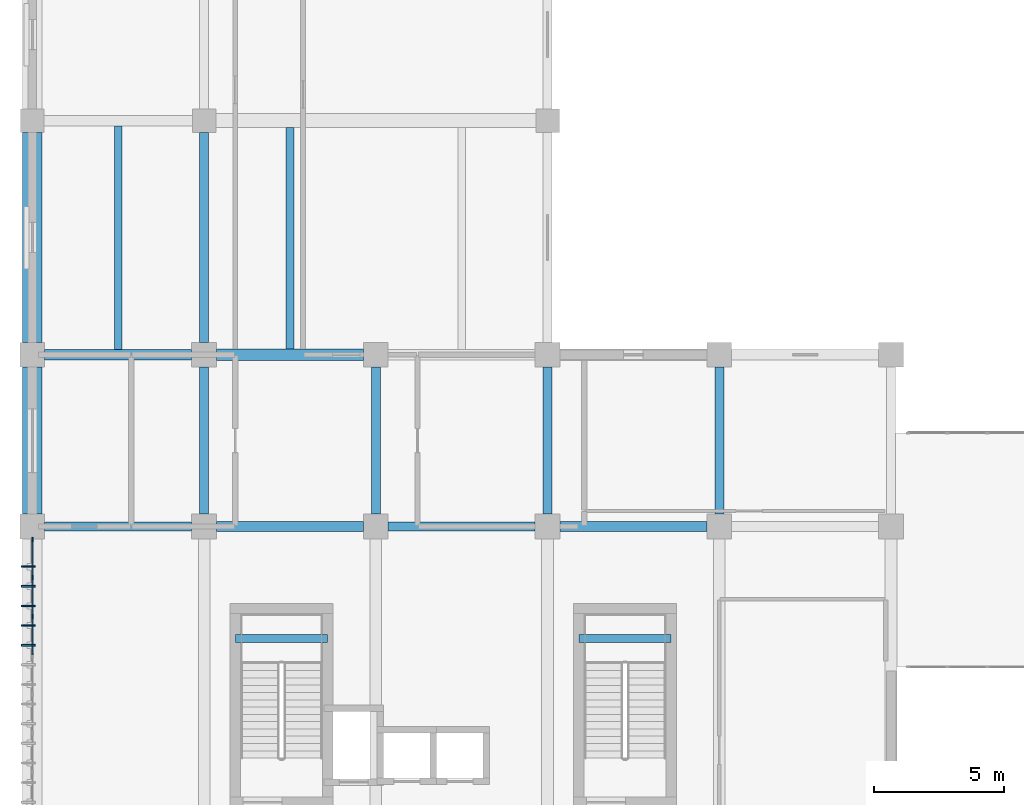
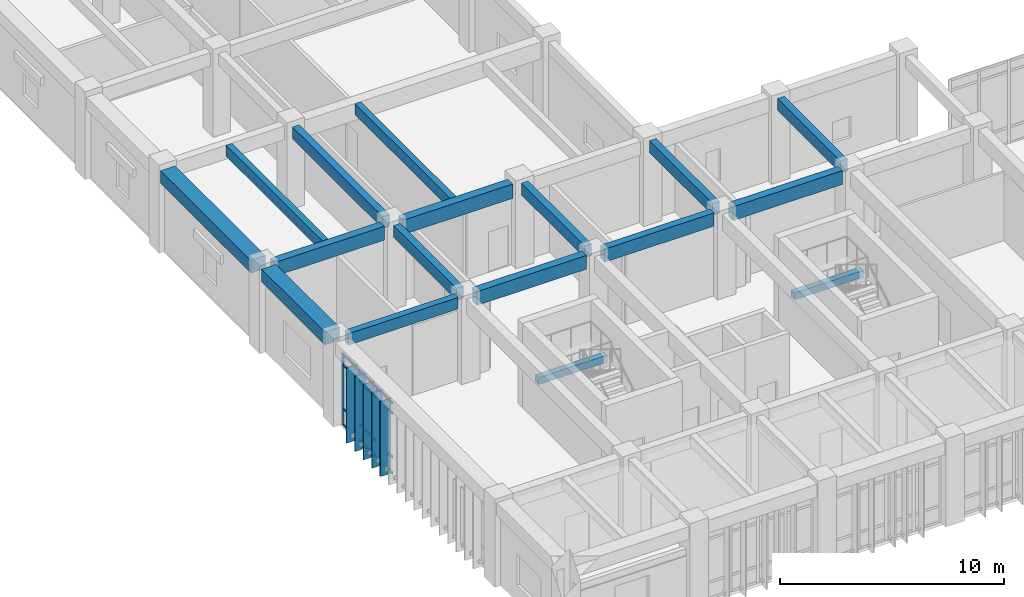
# One storey, part 5 of 68: 20 members, 17 beams, 1 element without a shape of its own.
"""IFC4 building model written with IfcOpenShell, lengths in metres."""

import ifcopenshell
import ifcopenshell.guid

model = None  # the IFC model being written
_history = None  # IfcOwnerHistory: only IFC2X3 demands one
_inside = {}  # id of a spatial element -> (the spatial element, [elements in it])
_under = {}  # id of a project, library or spatial element -> (it, [spatial elements below it])
_declared = {}  # id of a project -> (the project, [libraries it declares])
_typed = {}  # id of a type object -> (the type object, [elements of that type])
_made_of = {}  # id of a material, layer set ... -> (it, [elements and type objects made of it])


def new_model(schema):
    """Start an empty IFC model of exactly this schema.

    Asked for "IFC4X3", IfcOpenShell would pick the latest addendum, in which some entities
    have other attributes; the version numbers below select the first issue.
    IFC2X3 requires an IfcOwnerHistory on every rooted entity: one is made here for all.
    """
    global model, _history
    if schema == "IFC4X3":
        model = ifcopenshell.file(schema_version=(4, 3, 0, 0))
    else:
        model = ifcopenshell.file(schema=schema)
    _inside.clear()
    _under.clear()
    _declared.clear()
    _typed.clear()
    _made_of.clear()
    _history = None
    if model.schema == "IFC2X3":
        org = make("IfcOrganization", Name="unknown")
        user = make(
            "IfcPersonAndOrganization",
            ThePerson=make("IfcPerson", FamilyName="unknown"),
            TheOrganization=org,
        )
        app = make(
            "IfcApplication",
            ApplicationDeveloper=org,
            Version="unknown",
            ApplicationFullName="unknown",
            ApplicationIdentifier="unknown",
        )
        _history = make(
            "IfcOwnerHistory",
            OwningUser=user,
            OwningApplication=app,
            ChangeAction="ADDED",
            CreationDate=0,
        )
    return model


def make(cls, **values):
    """One entity of the class cls with the attributes given. An attribute that is None is left unset."""
    return model.create_entity(
        cls, **{name: value for name, value in values.items() if value is not None}
    )


def rooted(cls, **values):
    """An entity with a GlobalId (a new one), such as an element, a storey or a relation."""
    return make(cls, GlobalId=ifcopenshell.guid.new(), OwnerHistory=_history, **values)


def si_unit(unit_type, name, prefix=None):
    """IfcSIUnit, for example si_unit("LENGTHUNIT", "METRE", prefix="MILLI")."""
    return make("IfcSIUnit", UnitType=unit_type, Prefix=prefix, Name=name)


def assignment(units):
    """IfcUnitAssignment: the units of a project."""
    return None if units is None else make("IfcUnitAssignment", Units=units)


def point(xyz):
    """IfcCartesianPoint."""
    return None if xyz is None else make("IfcCartesianPoint", Coordinates=xyz)


def direction(xyz):
    """IfcDirection."""
    return None if xyz is None else make("IfcDirection", DirectionRatios=xyz)


def frame(location, z_axis=None, x_axis=None):
    """IfcAxis2Placement3D, a coordinate frame: its origin and axes. An axis left out is left unset."""
    return make(
        "IfcAxis2Placement3D",
        Location=point(location),
        Axis=direction(z_axis),
        RefDirection=direction(x_axis),
    )


def frame_2d(location, x_axis=None):
    """IfcAxis2Placement2D, a coordinate frame in the plane: its origin and x axis."""
    return make(
        "IfcAxis2Placement2D", Location=point(location), RefDirection=direction(x_axis)
    )


def origin():
    """The frame at (0, 0, 0) with its axes left unset."""
    return frame((0.0, 0.0, 0.0))


def origin_2d():
    """The frame at (0, 0) in the plane with its x axis left unset."""
    return frame_2d((0.0, 0.0))


def place(relative_to, where):
    """IfcLocalPlacement: puts the frame where relative to a parent placement (None: the world)."""
    return make(
        "IfcLocalPlacement", PlacementRelTo=relative_to, RelativePlacement=where
    )


def context(
    kind, dimensions, precision=None, world=None, true_north=None, identifier=None
):
    """IfcGeometricRepresentationContext, for example the 3D "Model" context."""
    return make(
        "IfcGeometricRepresentationContext",
        ContextIdentifier=identifier,
        ContextType=kind,
        CoordinateSpaceDimension=dimensions,
        Precision=precision,
        WorldCoordinateSystem=world,
        TrueNorth=true_north,
    )


def subcontext(parent, identifier, kind, view, scale=None):
    """IfcGeometricRepresentationSubContext, for example "Body" below "Model"."""
    return make(
        "IfcGeometricRepresentationSubContext",
        ContextIdentifier=identifier,
        ContextType=kind,
        ParentContext=parent,
        TargetScale=scale,
        TargetView=view,
    )


def project(units=None, contexts=None):
    """IfcProject with its units and contexts."""
    return rooted(
        "IfcProject",
        Name="project",
        RepresentationContexts=contexts,
        UnitsInContext=assignment(units),
    )


def spatial(cls, under=None, at=None, **own):
    """A site, building, storey or space (cls), placed at a placement, below another one or the project."""
    s = rooted(cls, ObjectPlacement=at, **own)
    if under is not None:
        _under.setdefault(under.id(), (under, []))[1].append(s)
    return s


def profile(cls, at=None, kind="AREA", **sizes):
    """A parametric profile (cls). Its sizes go by their IFC names, for example OverallWidth=200.0."""
    return make(cls, ProfileType=kind, Position=at, **sizes)


def rectangle(**sizes):
    """IfcRectangleProfileDef."""
    return profile("IfcRectangleProfileDef", **sizes)


def extrude(swept, where, along, depth):
    """IfcExtrudedAreaSolid: the profile swept, set in the frame where, extruded along a direction by depth."""
    return make(
        "IfcExtrudedAreaSolid",
        SweptArea=swept,
        Position=where,
        ExtrudedDirection=direction(along),
        Depth=depth,
    )


def shape(context_of_items, identifier, shape_type, items):
    """IfcShapeRepresentation: the items that make up one representation, for example the "Body"."""
    return make(
        "IfcShapeRepresentation",
        ContextOfItems=context_of_items,
        RepresentationIdentifier=identifier,
        RepresentationType=shape_type,
        Items=items,
    )


def material(Name=None, Category=None):
    """IfcMaterial."""
    return make("IfcMaterial", Name=Name, Category=Category)


def layer(
    of_material, thickness, ventilated=None, Name=None, Category=None, Priority=None
):
    """IfcMaterialLayer: one layer of a wall or slab, of a material (None: an air gap)."""
    return make(
        "IfcMaterialLayer",
        Material=of_material,
        LayerThickness=thickness,
        IsVentilated=ventilated,
        Name=Name,
        Category=Category,
        Priority=Priority,
    )


def layer_set(layers, Name=None):
    """IfcMaterialLayerSet."""
    return make("IfcMaterialLayerSet", MaterialLayers=layers, LayerSetName=Name)


def material_profile(
    of_material, cross_section, Name=None, Category=None, Priority=None
):
    """IfcMaterialProfile: a cross section and its material."""
    return make(
        "IfcMaterialProfile",
        Name=Name,
        Material=of_material,
        Profile=cross_section,
        Priority=Priority,
        Category=Category,
    )


def profile_set(profiles, Name=None, composite=None):
    """IfcMaterialProfileSet."""
    return make(
        "IfcMaterialProfileSet",
        Name=Name,
        MaterialProfiles=profiles,
        CompositeProfile=composite,
    )


def made_of(thing, what):
    """Note that an element or type object is made of a material, layer set ...; save() writes the relation."""
    if what is not None:
        _made_of.setdefault(what.id(), (what, []))[1].append(thing)
    return thing


def type_object(cls, material=None, **own):
    """A type object (cls), such as IfcWallType, which elements share."""
    return made_of(rooted(cls, **own), material)


def element(
    cls,
    number,
    at=None,
    inside=None,
    cuts=None,
    type_object=None,
    material=None,
    context=None,
    identifier="Body",
    shape_type=None,
    held_by="IfcProductDefinitionShape",
    body=None,
    shapes=None,
    **own,
):
    """One element of the class cls, such as IfcWall. Its Tag is "e" and its number.

    at: its placement. inside: the storey or other place that contains it. cuts: it is an
    opening in that element (IfcRelVoidsElement). A single representation is given by context,
    identifier, shape_type and body (its items); several are given by shapes. held_by: the class
    of the entity that holds the representations. save() writes the other relations.
    """
    e = rooted(cls, Tag="e%d" % number, ObjectPlacement=at, **own)
    if body is not None:
        shapes = [shape(context, identifier, shape_type, body)]
    if shapes is not None:
        e.Representation = make(held_by, Representations=shapes)
    if inside is not None:
        _inside.setdefault(inside.id(), (inside, []))[1].append(e)
    if cuts is not None:
        rooted(
            "IfcRelVoidsElement", RelatingBuildingElement=cuts, RelatedOpeningElement=e
        )
    if type_object is not None:
        _typed.setdefault(type_object.id(), (type_object, []))[1].append(e)
    return made_of(e, material)


def aggregate(whole, parts):
    """IfcRelAggregates: a whole, such as a stair, and the parts it consists of."""
    return rooted("IfcRelAggregates", RelatingObject=whole, RelatedObjects=parts)


def save(model, path):
    """Write the relations noted so far, then the file.

    IfcRelAggregates (storeys below a building ...), IfcRelContainedInSpatialStructure (elements
    in a storey), IfcRelDefinesByType, IfcRelAssociatesMaterial and IfcRelDeclares: one each for
    every whole, place, type object, material and project.
    """
    for whole, parts in _under.values():
        aggregate(whole, parts)
    for where, things in _inside.values():
        rooted(
            "IfcRelContainedInSpatialStructure",
            RelatedElements=things,
            RelatingStructure=where,
        )
    for kind, things in _typed.values():
        rooted("IfcRelDefinesByType", RelatedObjects=things, RelatingType=kind)
    for what, things in _made_of.values():
        rooted("IfcRelAssociatesMaterial", RelatedObjects=things, RelatingMaterial=what)
    for by, libraries in _declared.values():
        rooted("IfcRelDeclares", RelatingContext=by, RelatedDefinitions=libraries)
    model.write(path)


model = new_model("IFC4")

# Units and contexts
model_context = context("Model", 3, precision=1e-05, world=origin(), true_north=direction((0.0, 1.0)))
body_context = subcontext(model_context, "Body", "Model", "MODEL_VIEW")
ifc_project = project(units=[si_unit("LENGTHUNIT", "METRE"), si_unit("AREAUNIT", "SQUARE_METRE"), si_unit("VOLUMEUNIT", "CUBIC_METRE"), si_unit("PLANEANGLEUNIT", "RADIAN"), si_unit("MASSUNIT", "GRAM", prefix="KILO")], contexts=[model_context])

# Site, building, storey
site_placement = place(None, origin())
site = spatial("IfcSite", under=ifc_project, at=site_placement, CompositionType="ELEMENT")
building_placement = place(site_placement, origin())
building = spatial("IfcBuilding", under=site, at=building_placement, Name="Miralva Faculty of Natural Sciences", CompositionType="ELEMENT")
storey_placement = place(building_placement, frame((0.0, 0.0, 5.39990234375)))
storey = spatial("IfcBuildingStorey", under=building, at=storey_placement, Name="L01", CompositionType="ELEMENT", Elevation=5.39990234375)

# Beams
ifc_material_1 = material(Name="Concrete C40/50", Category="concrete")
ifc_material_profile_1 = material_profile(ifc_material_1, rectangle(XDim=0.39990234375, YDim=0.75, at=origin_2d()), Name="RC 400x750")
ifc_profile_set_1 = profile_set([ifc_material_profile_1], Name="Concrete C40/50")
beam_type_1 = type_object("IfcBeamType", Name="BM-B03", PredefinedType="BEAM", material=ifc_profile_set_1)
for number, where, z_axis, x_axis, name in (
    (1, (10.074951171875, 23.39990234375, 4.205078125), (1.0, 0.0, 0.0), (0.0, 1.0, 0.0), "Girder EW L01-24"),
    (2, (23.27490234375, 23.39990234375, 4.205078125), (1.0, 0.0, 0.0), (0.0, 1.0, 0.0), "Girder EW L01-26"),
):
    element("IfcBeam", number, at=place(storey_placement, frame(where, z_axis=z_axis, x_axis=x_axis)), inside=storey, type_object=beam_type_1, Name=name, PredefinedType="BEAM", context=body_context, shape_type="SweptSolid", body=[
        extrude(rectangle(XDim=0.39990234375, YDim=0.75, at=origin_2d()), origin(), (0.0, 0.0, 1.0), 5.650146484375),
    ])
beam_1_placement = place(storey_placement, frame((3.47509765625, 30.0, 4.10498046875), z_axis=(1.0, 0.0, 0.0), x_axis=(0.0, 1.0, 0.0)))
element("IfcBeam", 3, at=beam_1_placement, inside=storey, type_object=beam_type_1, Name="Girder EW L01-32", PredefinedType="BEAM", context=body_context, shape_type="SweptSolid", body=[
    extrude(rectangle(XDim=0.39990234375, YDim=0.75, at=origin_2d()), origin(), (0.0, 0.0, 1.0), 5.64990234375),
])
ifc_material_profile_2 = material_profile(ifc_material_1, rectangle(XDim=0.35009765625, YDim=0.64990234375, at=origin_2d()), Name="RC 350x650")
ifc_profile_set_2 = profile_set([ifc_material_profile_2], Name="Concrete C40/50")
beam_type_2 = type_object("IfcBeamType", Name="BM-B05", PredefinedType="BEAM", material=ifc_profile_set_2)
beam_2_placement = place(storey_placement, frame((9.60009765625, 23.875, 4.255126953125), z_axis=(0.0, 1.0, 0.0), x_axis=(-1.0, 0.0, 0.0)))
element("IfcBeam", 4, at=beam_2_placement, inside=storey, type_object=beam_type_2, Name="Girder NS L01-111", PredefinedType="BEAM", context=body_context, shape_type="SweptSolid", body=[
    extrude(rectangle(XDim=0.35009765625, YDim=0.64990234375, at=origin_2d()), origin(), (0.0, 0.0, 1.0), 5.64990234375),
])
beam_3_placement = place(storey_placement, frame((9.60009765625, 30.47509765625, 4.155029296875), z_axis=(0.0, 1.0, 0.0), x_axis=(-1.0, 0.0, 0.0)))
element("IfcBeam", 5, at=beam_3_placement, inside=storey, type_object=beam_type_2, Name="Girder NS L01-112", PredefinedType="BEAM", context=body_context, shape_type="SweptSolid", body=[
    extrude(rectangle(XDim=0.35009765625, YDim=0.64990234375, at=origin_2d()), origin(), (0.0, 0.0, 1.0), 8.074951171875),
])
for number, where, z_axis, x_axis, name in (
    (6, (16.199951171875, 23.875, 4.255126953125), (0.0, 1.0, 0.0), (-1.0, 0.0, 0.0), "Girder NS L01-124"),
    (7, (22.800048828125, 23.875, 4.255126953125), (0.0, 1.0, 0.0), (-1.0, 0.0, 0.0), "Girder NS L01-127"),
    (8, (29.39990234375, 23.875, 4.255126953125), (0.0, 1.0, 0.0), (-1.0, 0.0, 0.0), "Girder NS L01-140"),
):
    element("IfcBeam", number, at=place(storey_placement, frame(where, z_axis=z_axis, x_axis=x_axis)), inside=storey, type_object=beam_type_2, Name=name, PredefinedType="BEAM", context=body_context, shape_type="SweptSolid", body=[
        extrude(rectangle(XDim=0.35009765625, YDim=0.64990234375, at=origin_2d()), origin(), (0.0, 0.0, 1.0), 5.64990234375),
    ])
ifc_material_profile_3 = material_profile(ifc_material_1, rectangle(XDim=0.340087890625, YDim=0.6201171875, at=origin_2d()), Name="RC 340x620")
ifc_profile_set_3 = profile_set([ifc_material_profile_3], Name="Concrete C40/50")
beam_type_3 = type_object("IfcBeamType", Name="BM-BG03", PredefinedType="BEAM", material=ifc_profile_set_3)
beam_4_placement = place(storey_placement, frame((3.47509765625, 23.39990234375, 4.27001953125), z_axis=(1.0, 0.0, 0.0), x_axis=(0.0, 1.0, 0.0)))
element("IfcBeam", 9, at=beam_4_placement, inside=storey, type_object=beam_type_3, Name="Girder EW L01-23", PredefinedType="BEAM", context=body_context, shape_type="SweptSolid", body=[
    extrude(rectangle(XDim=0.340087890625, YDim=0.6201171875, at=origin_2d()), origin(), (0.0, 0.0, 1.0), 5.64990234375),
])
ifc_material_profile_4 = material_profile(ifc_material_1, rectangle(XDim=0.360107421875, YDim=0.719970703125, at=origin_2d()), Name="RC 360x720")
ifc_profile_set_4 = profile_set([ifc_material_profile_4], Name="Concrete C40/50")
beam_type_4 = type_object("IfcBeamType", Name="BM-BG05", PredefinedType="BEAM", material=ifc_profile_set_4)
beam_5_placement = place(storey_placement, frame((16.675048828125, 23.39990234375, 4.22021484375), z_axis=(1.0, 0.0, 0.0), x_axis=(0.0, 1.0, 0.0)))
element("IfcBeam", 10, at=beam_5_placement, inside=storey, type_object=beam_type_4, Name="Girder EW L01-25", PredefinedType="BEAM", context=body_context, shape_type="SweptSolid", body=[
    extrude(rectangle(XDim=0.360107421875, YDim=0.719970703125, at=origin_2d()), origin(), (0.0, 0.0, 1.0), 5.64990234375),
])
ifc_material_profile_5 = material_profile(ifc_material_1, rectangle(XDim=0.43994140625, YDim=0.780029296875, at=origin_2d()), Name="RC 440x780")
ifc_profile_set_5 = profile_set([ifc_material_profile_5], Name="Concrete C40/50")
beam_type_5 = type_object("IfcBeamType", Name="BM-BG13", PredefinedType="BEAM", material=ifc_profile_set_5)
beam_6_placement = place(storey_placement, frame((10.074951171875, 30.0, 4.090087890625), z_axis=(1.0, 0.0, 0.0), x_axis=(0.0, 1.0, 0.0)))
element("IfcBeam", 11, at=beam_6_placement, inside=storey, type_object=beam_type_5, Name="Girder EW L01-33", PredefinedType="BEAM", context=body_context, shape_type="SweptSolid", body=[
    extrude(rectangle(XDim=0.43994140625, YDim=0.780029296875, at=origin_2d()), origin(), (0.0, 0.0, 1.0), 5.650146484375),
])
ifc_material_profile_6 = material_profile(ifc_material_1, rectangle(XDim=0.300048828125, YDim=0.60009765625, at=origin_2d()), Name="RC 300x600")
ifc_profile_set_6 = profile_set([ifc_material_profile_6], Name="Concrete C40/50")
beam_type_6 = type_object("IfcBeamType", Name="BM-J01", PredefinedType="JOIST", material=ifc_profile_set_6)
beam_7_placement = place(storey_placement, frame((6.300048828125, 30.199951171875, 4.18017578125), z_axis=(0.0, 1.0, 0.0), x_axis=(-1.0, 0.0, 0.0)))
element("IfcBeam", 12, at=beam_7_placement, inside=storey, type_object=beam_type_6, Name="Floor joist L01-6", PredefinedType="JOIST", context=body_context, shape_type="SweptSolid", body=[
    extrude(rectangle(XDim=0.300048828125, YDim=0.60009765625, at=origin_2d()), origin(), (0.0, 0.0, 1.0), 8.60009765625),
])
beam_8_placement = place(storey_placement, frame((12.89990234375, 30.219970703125, 4.18017578125), z_axis=(0.0, 1.0, 0.0), x_axis=(-1.0, 0.0, 0.0)))
element("IfcBeam", 13, at=beam_8_placement, inside=storey, type_object=beam_type_6, Name="Floor joist L01-7", PredefinedType="JOIST", context=body_context, shape_type="SweptSolid", body=[
    extrude(rectangle(XDim=0.300048828125, YDim=0.60009765625, at=origin_2d()), origin(), (0.0, 0.0, 1.0), 8.510009765625),
])
ifc_material_profile_7 = material_profile(ifc_material_1, rectangle(XDim=0.300048828125, YDim=0.3798828125, at=origin_2d()), Name="RC 300x380")
ifc_profile_set_7 = profile_set([ifc_material_profile_7], Name="Concrete C40/50")
beam_type_7 = type_object("IfcBeamType", Name="BM-LND01", PredefinedType="BEAM", material=ifc_profile_set_7)
for number, where, z_axis, x_axis, name in (
    (14, (10.800048828125, 19.094970703125, 2.02001953125), (1.0, 0.0, 0.0), (0.0, 1.0, 0.0), "Stair Core C1 half-landing support beam L01"),
    (15, (24.0, 19.094970703125, 2.02001953125), (1.0, 0.0, 0.0), (0.0, 1.0, 0.0), "Stair Core C1B half-landing support beam L01"),
):
    element("IfcBeam", number, at=place(storey_placement, frame(where, z_axis=z_axis, x_axis=x_axis)), inside=storey, type_object=beam_type_7, Name=name, PredefinedType="BEAM", context=body_context, shape_type="SweptSolid", body=[
        extrude(rectangle(XDim=0.300048828125, YDim=0.3798828125, at=origin_2d()), origin(), (0.0, 0.0, 1.0), 3.550048828125),
    ])
ifc_material_profile_8 = material_profile(ifc_material_1, rectangle(XDim=0.75, YDim=0.699951171875, at=origin_2d()), Name="RC 750x700")
ifc_profile_set_8 = profile_set([ifc_material_profile_8], Name="Concrete C40/50")
beam_type_8 = type_object("IfcBeamType", Name="BM-SP01", PredefinedType="SPANDREL", material=ifc_profile_set_8)
beam_9_placement = place(storey_placement, frame((3.0, 23.875, 4.22998046875), z_axis=(0.0, 1.0, 0.0), x_axis=(-1.0, 0.0, 0.0)))
element("IfcBeam", 16, at=beam_9_placement, inside=storey, type_object=beam_type_8, Name="Girder NS L01-98", PredefinedType="SPANDREL", context=body_context, shape_type="SweptSolid", body=[
    extrude(rectangle(XDim=0.75, YDim=0.699951171875, at=origin_2d()), origin(), (0.0, 0.0, 1.0), 5.64990234375),
])
beam_10_placement = place(storey_placement, frame((3.0, 30.47509765625, 4.130126953125), z_axis=(0.0, 1.0, 0.0), x_axis=(-1.0, 0.0, 0.0)))
element("IfcBeam", 17, at=beam_10_placement, inside=storey, type_object=beam_type_8, Name="Girder NS L01-99", PredefinedType="SPANDREL", context=body_context, shape_type="SweptSolid", body=[
    extrude(rectangle(XDim=0.75, YDim=0.699951171875, at=origin_2d()), origin(), (0.0, 0.0, 1.0), 8.074951171875),
])

# Curtain wall, members
ifc_material_2 = material(Name="Laminated solar-control glass", Category="glass")
ifc_layer = layer(ifc_material_2, 0.179931640625, Name="CW-TWR-L01")
ifc_layer_set = layer_set([ifc_layer], Name="Laminated solar-control glass")
curtain_wall_type = type_object("IfcCurtainWallType", Name="CW-TWR-L01", PredefinedType="USERDEFINED", material=ifc_layer_set)
curtain_wall_placement = place(storey_placement, origin())
curtain_wall = element("IfcCurtainWall", 18, at=curtain_wall_placement, inside=storey, type_object=curtain_wall_type, Name="Curtain wall CW-13 L01-218", ObjectType="UNITISED CURTAIN WALL", PredefinedType="USERDEFINED")
ifc_material_3 = material(Name="Anodised aluminium", Category="aluminium")
ifc_material_profile_9 = material_profile(ifc_material_3, rectangle(XDim=0.06494140625, YDim=0.159912109375, at=origin_2d()), Name="MULLION 65x160")
ifc_profile_set_9 = profile_set([ifc_material_profile_9], Name="Anodised aluminium")
member_type_1 = type_object("IfcMemberType", Name="CW-M02", PredefinedType="MULLION", material=ifc_profile_set_9)
member_1_placement = place(storey_placement, frame((3.0, 19.941650390625, 0.0), z_axis=(0.0, 0.0, 1.0), x_axis=(-1.0, 0.0, 0.0)))
member_1 = element("IfcMember", 19, at=member_1_placement, type_object=member_type_1, Name="CW-13 mullion 8", PredefinedType="MULLION", context=body_context, shape_type="SweptSolid", body=[
    extrude(rectangle(XDim=0.06494140625, YDim=0.159912109375, at=origin_2d()), origin(), (0.0, 0.0, 1.0), 3.875),
])
member_2_placement = place(storey_placement, frame((3.0, 21.438232421875, 0.0), z_axis=(0.0, 0.0, 1.0), x_axis=(-1.0, 0.0, 0.0)))
member_2 = element("IfcMember", 20, at=member_2_placement, type_object=member_type_1, Name="CW-13 mullion 9", PredefinedType="MULLION", context=body_context, shape_type="SweptSolid", body=[
    extrude(rectangle(XDim=0.06494140625, YDim=0.159912109375, at=origin_2d()), origin(), (0.0, 0.0, 1.0), 3.875),
])
member_3_placement = place(storey_placement, frame((3.0, 22.902587890625, 0.0), z_axis=(0.0, 0.0, 1.0), x_axis=(-1.0, 0.0, 0.0)))
member_3 = element("IfcMember", 21, at=member_3_placement, type_object=member_type_1, Name="CW-13 mullion 10", PredefinedType="MULLION", context=body_context, shape_type="SweptSolid", body=[
    extrude(rectangle(XDim=0.06494140625, YDim=0.159912109375, at=origin_2d()), origin(), (0.0, 0.0, 1.0), 3.875),
])
ifc_material_profile_10 = material_profile(ifc_material_3, rectangle(XDim=0.06005859375, YDim=0.1201171875, at=origin_2d()), Name="TRANSOM 60x120")
ifc_profile_set_10 = profile_set([ifc_material_profile_10], Name="Anodised aluminium")
member_type_2 = type_object("IfcMemberType", Name="CW-T02", PredefinedType="USERDEFINED", material=ifc_profile_set_10)
member_4_placement = place(storey_placement, frame((3.0, 18.4775390625, 0.030029296875), z_axis=(0.0, 1.0, 0.0), x_axis=(-1.0, 0.0, 0.0)))
member_4 = element("IfcMember", 22, at=member_4_placement, type_object=member_type_2, Name="CW-13 transom 7.1", ObjectType="TRANSOM", PredefinedType="USERDEFINED", context=body_context, shape_type="SweptSolid", body=[
    extrude(rectangle(XDim=0.06005859375, YDim=0.1201171875, at=origin_2d()), origin(), (0.0, 0.0, 1.0), 1.431640625),
])
member_5_placement = place(storey_placement, frame((3.0, 18.4775390625, 0.900146484375), z_axis=(0.0, 1.0, 0.0), x_axis=(-1.0, 0.0, 0.0)))
member_5 = element("IfcMember", 23, at=member_5_placement, type_object=member_type_2, Name="CW-13 transom 7.2", ObjectType="TRANSOM", PredefinedType="USERDEFINED", context=body_context, shape_type="SweptSolid", body=[
    extrude(rectangle(XDim=0.06005859375, YDim=0.1201171875, at=origin_2d()), origin(), (0.0, 0.0, 1.0), 1.431640625),
])
member_6_placement = place(storey_placement, frame((3.0, 18.4775390625, 3.275146484375), z_axis=(0.0, 1.0, 0.0), x_axis=(-1.0, 0.0, 0.0)))
member_6 = element("IfcMember", 24, at=member_6_placement, type_object=member_type_2, Name="CW-13 transom 7.3", ObjectType="TRANSOM", PredefinedType="USERDEFINED", context=body_context, shape_type="SweptSolid", body=[
    extrude(rectangle(XDim=0.06005859375, YDim=0.1201171875, at=origin_2d()), origin(), (0.0, 0.0, 1.0), 1.431640625),
])
member_7_placement = place(storey_placement, frame((3.0, 18.4775390625, 3.84521484375), z_axis=(0.0, 1.0, 0.0), x_axis=(-1.0, 0.0, 0.0)))
member_7 = element("IfcMember", 25, at=member_7_placement, type_object=member_type_2, Name="CW-13 transom 7.4", ObjectType="TRANSOM", PredefinedType="USERDEFINED", context=body_context, shape_type="SweptSolid", body=[
    extrude(rectangle(XDim=0.06005859375, YDim=0.1201171875, at=origin_2d()), origin(), (0.0, 0.0, 1.0), 1.431640625),
])
member_8_placement = place(storey_placement, frame((3.0, 19.97412109375, 0.030029296875), z_axis=(0.0, 1.0, 0.0), x_axis=(-1.0, 0.0, 0.0)))
member_8 = element("IfcMember", 26, at=member_8_placement, type_object=member_type_2, Name="CW-13 transom 8.1", ObjectType="TRANSOM", PredefinedType="USERDEFINED", context=body_context, shape_type="SweptSolid", body=[
    extrude(rectangle(XDim=0.06005859375, YDim=0.1201171875, at=origin_2d()), origin(), (0.0, 0.0, 1.0), 1.431640625),
])
member_9_placement = place(storey_placement, frame((3.0, 19.97412109375, 0.900146484375), z_axis=(0.0, 1.0, 0.0), x_axis=(-1.0, 0.0, 0.0)))
member_9 = element("IfcMember", 27, at=member_9_placement, type_object=member_type_2, Name="CW-13 transom 8.2", ObjectType="TRANSOM", PredefinedType="USERDEFINED", context=body_context, shape_type="SweptSolid", body=[
    extrude(rectangle(XDim=0.06005859375, YDim=0.1201171875, at=origin_2d()), origin(), (0.0, 0.0, 1.0), 1.431640625),
])
member_10_placement = place(storey_placement, frame((3.0, 19.97412109375, 3.275146484375), z_axis=(0.0, 1.0, 0.0), x_axis=(-1.0, 0.0, 0.0)))
member_10 = element("IfcMember", 28, at=member_10_placement, type_object=member_type_2, Name="CW-13 transom 8.3", ObjectType="TRANSOM", PredefinedType="USERDEFINED", context=body_context, shape_type="SweptSolid", body=[
    extrude(rectangle(XDim=0.06005859375, YDim=0.1201171875, at=origin_2d()), origin(), (0.0, 0.0, 1.0), 1.431640625),
])
member_11_placement = place(storey_placement, frame((3.0, 19.97412109375, 3.84521484375), z_axis=(0.0, 1.0, 0.0), x_axis=(-1.0, 0.0, 0.0)))
member_11 = element("IfcMember", 29, at=member_11_placement, type_object=member_type_2, Name="CW-13 transom 8.4", ObjectType="TRANSOM", PredefinedType="USERDEFINED", context=body_context, shape_type="SweptSolid", body=[
    extrude(rectangle(XDim=0.06005859375, YDim=0.1201171875, at=origin_2d()), origin(), (0.0, 0.0, 1.0), 1.431640625),
])
member_12_placement = place(storey_placement, frame((3.0, 21.470947265625, 0.030029296875), z_axis=(0.0, 1.0, 0.0), x_axis=(-1.0, 0.0, 0.0)))
member_12 = element("IfcMember", 30, at=member_12_placement, type_object=member_type_2, Name="CW-13 transom 9.1", ObjectType="TRANSOM", PredefinedType="USERDEFINED", context=body_context, shape_type="SweptSolid", body=[
    extrude(rectangle(XDim=0.06005859375, YDim=0.1201171875, at=origin_2d()), origin(), (0.0, 0.0, 1.0), 1.399169921875),
])
member_13_placement = place(storey_placement, frame((3.0, 21.470947265625, 0.900146484375), z_axis=(0.0, 1.0, 0.0), x_axis=(-1.0, 0.0, 0.0)))
member_13 = element("IfcMember", 31, at=member_13_placement, type_object=member_type_2, Name="CW-13 transom 9.2", ObjectType="TRANSOM", PredefinedType="USERDEFINED", context=body_context, shape_type="SweptSolid", body=[
    extrude(rectangle(XDim=0.06005859375, YDim=0.1201171875, at=origin_2d()), origin(), (0.0, 0.0, 1.0), 1.399169921875),
])
member_14_placement = place(storey_placement, frame((3.0, 21.470947265625, 3.275146484375), z_axis=(0.0, 1.0, 0.0), x_axis=(-1.0, 0.0, 0.0)))
member_14 = element("IfcMember", 32, at=member_14_placement, type_object=member_type_2, Name="CW-13 transom 9.3", ObjectType="TRANSOM", PredefinedType="USERDEFINED", context=body_context, shape_type="SweptSolid", body=[
    extrude(rectangle(XDim=0.06005859375, YDim=0.1201171875, at=origin_2d()), origin(), (0.0, 0.0, 1.0), 1.399169921875),
])
member_15_placement = place(storey_placement, frame((3.0, 21.470947265625, 3.84521484375), z_axis=(0.0, 1.0, 0.0), x_axis=(-1.0, 0.0, 0.0)))
member_15 = element("IfcMember", 33, at=member_15_placement, type_object=member_type_2, Name="CW-13 transom 9.4", ObjectType="TRANSOM", PredefinedType="USERDEFINED", context=body_context, shape_type="SweptSolid", body=[
    extrude(rectangle(XDim=0.06005859375, YDim=0.1201171875, at=origin_2d()), origin(), (0.0, 0.0, 1.0), 1.399169921875),
])
aggregate(curtain_wall, [member_1, member_2, member_3, member_4, member_5, member_6, member_7, member_8, member_9, member_10, member_11, member_12, member_13, member_14, member_15])

# Members
ifc_material_profile_11 = material_profile(ifc_material_3, rectangle(XDim=0.06494140625, YDim=0.550048828125, at=origin_2d()), Name="FIN 550x65")
ifc_profile_set_11 = profile_set([ifc_material_profile_11], Name="Anodised aluminium")
member_type_3 = type_object("IfcMemberType", Name="MEM-SF03", PredefinedType="USERDEFINED", material=ifc_profile_set_11)
for number, where, z_axis, x_axis, name in (
    (34, (2.840087890625, 18.84033203125, -0.219970703125), (0.0, 0.0, 1.0), (0.0, -1.0, 0.0), "Solar shading fin SF-03 L01-220"),
    (35, (2.840087890625, 19.5947265625, -0.219970703125), (0.0, 0.0, 1.0), (0.0, -1.0, 0.0), "Solar shading fin SF-03 L01-221"),
    (36, (2.840087890625, 20.34912109375, -0.219970703125), (0.0, 0.0, 1.0), (0.0, -1.0, 0.0), "Solar shading fin SF-03 L01-222"),
    (37, (2.840087890625, 21.103515625, -0.219970703125), (0.0, 0.0, 1.0), (0.0, -1.0, 0.0), "Solar shading fin SF-03 L01-223"),
    (38, (2.840087890625, 21.85791015625, -0.219970703125), (0.0, 0.0, 1.0), (0.0, -1.0, 0.0), "Solar shading fin SF-03 L01-224"),
):
    element("IfcMember", number, at=place(storey_placement, frame(where, z_axis=z_axis, x_axis=x_axis)), inside=storey, type_object=member_type_3, Name=name, ObjectType="SUNSHADE", PredefinedType="USERDEFINED", context=body_context, shape_type="SweptSolid", body=[
        extrude(rectangle(XDim=0.06494140625, YDim=0.550048828125, at=origin_2d()), origin(), (0.0, 0.0, 1.0), 4.094970703125),
    ])

save(model, "model.ifc")
